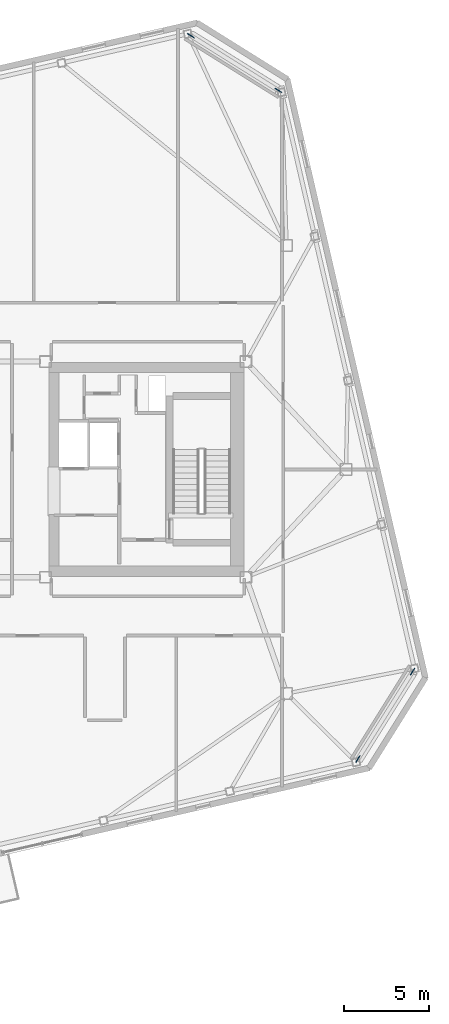
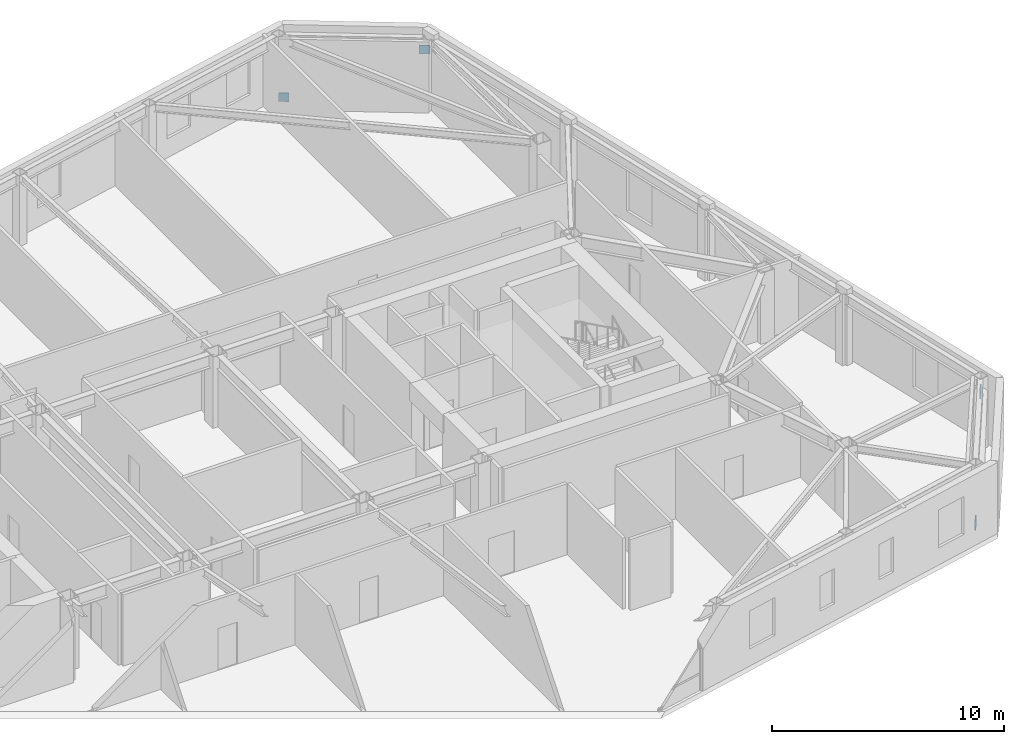
# One storey, part 22 of 24: 4 discrete accessories.
"""IFC4 building model written with IfcOpenShell, lengths in metres."""

from ifc_helpers import new_model, si_unit, direction, frame, origin, origin_2d, place, context, subcontext, project, spatial, rectangle, extrude, material, type_object, element, save


model = new_model("IFC4")

# Units and contexts
model_context = context("Model", 3, precision=1e-05, world=origin(), true_north=direction((0.0, 1.0)))
body_context = subcontext(model_context, "Body", "Model", "MODEL_VIEW")
ifc_project = project(units=[si_unit("LENGTHUNIT", "METRE"), si_unit("AREAUNIT", "SQUARE_METRE"), si_unit("VOLUMEUNIT", "CUBIC_METRE"), si_unit("PLANEANGLEUNIT", "RADIAN"), si_unit("MASSUNIT", "GRAM", prefix="KILO")], contexts=[model_context])

# Site, building, storey
site_placement = place(None, origin())
site = spatial("IfcSite", under=ifc_project, at=site_placement, CompositionType="ELEMENT")
building_placement = place(site_placement, origin())
building = spatial("IfcBuilding", under=site, at=building_placement, Name="Tavrogorsk Clinical Tower", CompositionType="ELEMENT")
storey_placement = place(building_placement, frame((0.0, 0.0, 325.0)))
storey = spatial("IfcBuildingStorey", under=building, at=storey_placement, Name="L76", CompositionType="ELEMENT", Elevation=325.0)

# Discrete accessories
ifc_material = material(Name="Structural steel S440", Category="steel")
discrete_accessory_type = type_object("IfcDiscreteAccessoryType", Name="GussetPlateBracket_25", PredefinedType="BRACKET", material=ifc_material)
for number, where, z_axis, x_axis, name in (
    (1, (28.70166015625, -17.063720703125, 0.163330078125), (0.0, 0.0, 1.0), (0.529919264233, 0.848048096156, 0.0), "L76 Brace Gusset Plate EXOCRN-L76-1-A"),
    (2, (31.9228515625, -11.9091796875, 2.81689453125), (0.0, 0.0, 1.0), (0.529919264233, 0.848048096156, 0.0), "L76 Brace Gusset Plate EXOCRN-L76-1-B"),
    (3, (18.86279296875, 25.55322265625, 0.163330078125), (0.0, 0.0, 1.0), (0.848048096156, -0.529919264233, 0.0), "L76 Brace Gusset Plate EXOCRN-L76-2-A"),
    (4, (24.017578125, 22.332275390625, 2.81689453125), (0.0, 0.0, 1.0), (0.848048096156, -0.529919264233, 0.0), "L76 Brace Gusset Plate EXOCRN-L76-2-B"),
):
    element("IfcDiscreteAccessory", number, at=place(storey_placement, frame(where, z_axis=z_axis, x_axis=x_axis)), inside=storey, type_object=discrete_accessory_type, Name=name, PredefinedType="BRACKET", context=body_context, shape_type="SweptSolid", body=[
        extrude(rectangle(XDim=0.4599609375, YDim=0.0400390625, at=origin_2d()), origin(), (0.0, 0.0, 1.0), 0.4599609375),
    ])

save(model, "model.ifc")
